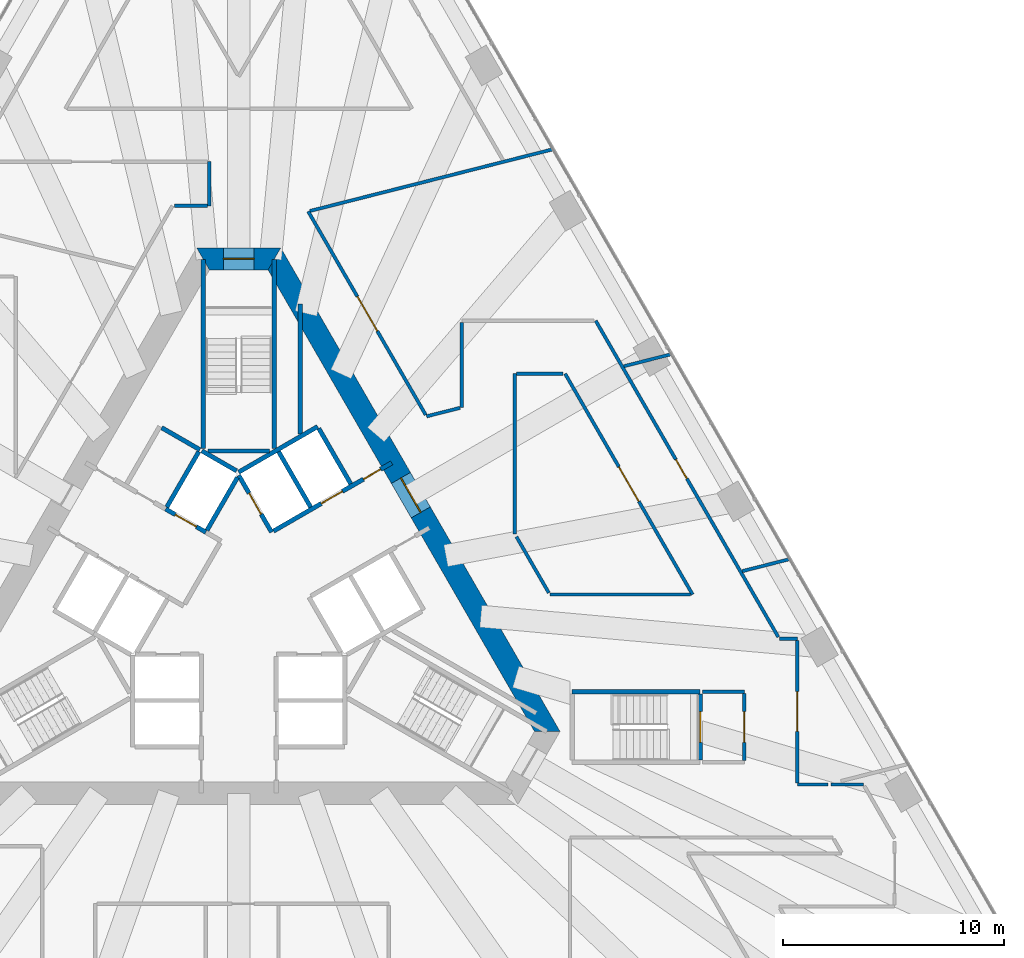
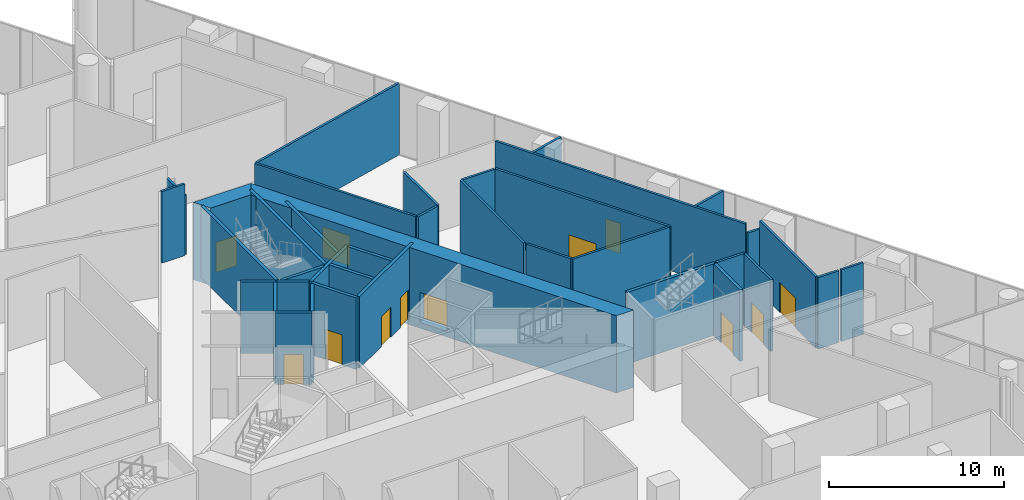
# One storey, part 25 of 32: 38 walls, 12 doors, 12 openings.
"""IFC4 building model written with IfcOpenShell, lengths in metres."""

from ifc_helpers import new_model, si_unit, direction, frame, frame_2d, origin, place, context, subcontext, project, spatial, polyline, rectangle, outline, extrude, material, layer, layer_set, type_object, element, fill, save


model = new_model("IFC4")

# Units and contexts
model_context = context("Model", 3, precision=1e-05, world=origin(), true_north=direction((0.0, 1.0)))
body_context = subcontext(model_context, "Body", "Model", "MODEL_VIEW")
ifc_project = project(units=[si_unit("LENGTHUNIT", "METRE"), si_unit("AREAUNIT", "SQUARE_METRE"), si_unit("VOLUMEUNIT", "CUBIC_METRE"), si_unit("PLANEANGLEUNIT", "RADIAN"), si_unit("MASSUNIT", "GRAM", prefix="KILO")], contexts=[model_context])

# Site, building, storey
site_placement = place(None, origin())
site = spatial("IfcSite", under=ifc_project, at=site_placement, CompositionType="ELEMENT")
building_placement = place(site_placement, origin())
building = spatial("IfcBuilding", under=site, at=building_placement, Name="Triada Interchange Tower", CompositionType="ELEMENT")
storey_placement = place(building_placement, frame((0.0, 0.0, 14.5)))
storey = spatial("IfcBuildingStorey", under=building, at=storey_placement, Name="L02", CompositionType="ELEMENT", Elevation=14.5)

# Wall
ifc_material_1 = material(Name="Concrete C30/37", Category="concrete")
ifc_layer_1 = layer(ifc_material_1, 0.199951171875)
ifc_layer_set_1 = layer_set([ifc_layer_1], Name="CORE WALL 200 EI 120")
wall_type_1 = type_object("IfcWallType", Name="CORE WALL 200 EI 120", PredefinedType="SOLIDWALL", material=ifc_layer_set_1)
wall_1_placement = place(storey_placement, frame((-0.001953125, 5.541015625, 0.0), z_axis=(0.0, 0.0, 1.0), x_axis=(0.86600155993, 0.500041296494, 0.0)))
element("IfcWall", 1, at=wall_1_placement, inside=storey, type_object=wall_type_1, Name="Wall L02 153", PredefinedType="SOLIDWALL", context=body_context, shape_type="SweptSolid", body=[
    extrude(rectangle(XDim=4.131591796875, YDim=0.199951171875, at=frame_2d((2.06591796875, 0.0))), origin(), (0.0, 0.0, 1.0), 5.0),
])

# Wall, opening, door
wall_2_placement = place(storey_placement, frame((0.0, 5.39990234375, 0.0), z_axis=(0.0, 0.0, 1.0), x_axis=(0.500103862429, -0.865965430478, 0.0)))
wall_2 = element("IfcWall", 2, at=wall_2_placement, inside=storey, type_object=wall_type_1, Name="Wall L02 154", PredefinedType="SOLIDWALL", context=body_context, shape_type="SweptSolid", body=[
    extrude(rectangle(XDim=2.973388671875, YDim=0.199951171875, at=frame_2d((1.48681640625, 0.0))), origin(), (0.0, 0.0, 1.0), 5.0),
])
opening_1_placement = place(wall_2_placement, frame((0.93701171875, 0.0, 0.0)))
opening_1 = element("IfcOpeningElement", 3, at=opening_1_placement, cuts=wall_2, Name="Opening LD-LR5", PredefinedType="OPENING", context=body_context, shape_type="SweptSolid", body=[
    extrude(rectangle(XDim=1.10009765625, YDim=2.10009765625, at=frame_2d((0.550048828125, 1.050048828125))), frame((0.0, 0.10986328125, 0.0), z_axis=(0.0, -1.0, 0.0), x_axis=(1.0, 0.0, 0.0)), (0.0, 0.0, 1.0), 0.219970703125),
])
ifc_material_2 = material(Name="Steel S235 door leaf", Category="steel")
door_type_1 = type_object("IfcDoorType", Name="LIFT LANDING DOOR 1100 EI 120", OperationType="SLIDING_TO_LEFT", PredefinedType="DOOR", material=ifc_material_2)
door_1_placement = place(opening_1_placement, origin())
door_1 = element("IfcDoor", 4, at=door_1_placement, inside=storey, type_object=door_type_1, Name="LR5 landing door L02", OperationType="SLIDING_TO_LEFT", OverallHeight=2.10009765625, OverallWidth=1.10009765625, PredefinedType="DOOR", context=body_context, shape_type="SweptSolid", body=[
    extrude(rectangle(XDim=1.10009765625, YDim=2.10009765625, at=frame_2d((0.550048828125, 1.050048828125))), frame((0.0, 0.02490234375, 0.0), z_axis=(0.0, -1.0, 0.0), x_axis=(1.0, 0.0, 0.0)), (0.0, 0.0, 1.0), 0.050048828125),
])
fill(opening_1, door_1)

# Wall, openings, doors
wall_3_placement = place(storey_placement, frame((1.577880859375, 2.8740234375, 0.0), z_axis=(0.0, 0.0, 1.0), x_axis=(0.866055259465, 0.499948284879, 0.0)))
wall_3 = element("IfcWall", 5, at=wall_3_placement, inside=storey, type_object=wall_type_1, Name="Wall L02 156", PredefinedType="SOLIDWALL", context=body_context, shape_type="SweptSolid", body=[
    extrude(rectangle(XDim=6.176513671875, YDim=0.199951171875, at=frame_2d((3.08837890625, 0.0))), origin(), (0.0, 0.0, 1.0), 5.0),
])
opening_2_placement = place(wall_3_placement, frame((2.49609375, 0.0, 0.0)))
opening_2 = element("IfcOpeningElement", 6, at=opening_2_placement, cuts=wall_3, Name="Opening LD-LR6", PredefinedType="OPENING", context=body_context, shape_type="SweptSolid", body=[
    extrude(rectangle(XDim=1.10009765625, YDim=2.10009765625, at=frame_2d((0.550048828125, 1.050048828125))), frame((0.0, 0.10986328125, 0.0), z_axis=(0.0, -1.0, 0.0), x_axis=(1.0, 0.0, 0.0)), (0.0, 0.0, 1.0), 0.219970703125),
])
opening_3_placement = place(wall_3_placement, frame((4.696044921875, 0.0, 0.0)))
opening_3 = element("IfcOpeningElement", 7, at=opening_3_placement, cuts=wall_3, Name="Opening D02-60", PredefinedType="OPENING", context=body_context, shape_type="SweptSolid", body=[
    extrude(rectangle(XDim=0.89990234375, YDim=2.10009765625, at=frame_2d((0.449951171875, 1.050048828125))), frame((0.0, 0.10986328125, 0.0), z_axis=(0.0, -1.0, 0.0), x_axis=(1.0, 0.0, 0.0)), (0.0, 0.0, 1.0), 0.219970703125),
])
door_2_placement = place(opening_2_placement, origin())
door_2 = element("IfcDoor", 8, at=door_2_placement, inside=storey, type_object=door_type_1, Name="LR6 landing door L02", OperationType="SLIDING_TO_LEFT", OverallHeight=2.10009765625, OverallWidth=1.10009765625, PredefinedType="DOOR", context=body_context, shape_type="SweptSolid", body=[
    extrude(rectangle(XDim=1.10009765625, YDim=2.10009765625, at=frame_2d((0.550048828125, 1.050048828125))), frame((0.0, 0.02490234375, 0.0), z_axis=(0.0, -1.0, 0.0), x_axis=(1.0, 0.0, 0.0)), (0.0, 0.0, 1.0), 0.050048828125),
])
fill(opening_2, door_2)
door_type_2 = type_object("IfcDoorType", Name="SERVICE DOOR 900 EI2 45-C5S200", OperationType="NOTDEFINED", PredefinedType="DOOR", material=ifc_material_2)
door_3_placement = place(opening_3_placement, origin())
door_3 = element("IfcDoor", 9, at=door_3_placement, inside=storey, type_object=door_type_2, Name="Door D02-60 L02", OperationType="SINGLE_SWING_LEFT", OverallHeight=2.10009765625, OverallWidth=0.89990234375, PredefinedType="DOOR", context=body_context, shape_type="SweptSolid", body=[
    extrude(rectangle(XDim=0.89990234375, YDim=2.10009765625, at=frame_2d((0.449951171875, 1.050048828125))), frame((0.0, 0.02490234375, 0.0), z_axis=(0.0, -1.0, 0.0), x_axis=(1.0, 0.0, 0.0)), (0.0, 0.0, 1.0), 0.050048828125),
])
fill(opening_3, door_3)

# Walls
for number, where, z_axis, x_axis, name in (
    (10, (3.6259765625, 7.52001953125, 0.0), (0.0, 0.0, 1.0), (0.500060147554, -0.865990674793, 0.0), "Wall L02 160"),
    (11, (1.806884765625, 6.469970703125, 0.0), (0.0, 0.0, 1.0), (0.50012328804, -0.865954211699, 0.0), "Wall L02 162"),
):
    element("IfcWall", number, at=place(storey_placement, frame(where, z_axis=z_axis, x_axis=x_axis)), inside=storey, type_object=wall_type_1, Name=name, PredefinedType="SOLIDWALL", context=body_context, shape_type="SweptSolid", body=[
        extrude(rectangle(XDim=2.899658203125, YDim=0.199951171875, at=frame_2d((1.44970703125, 0.0))), origin(), (0.0, 0.0, 1.0), 5.0),
    ])
ifc_layer_2 = layer(ifc_material_1, 0.199951171875)
ifc_layer_set_2 = layer_set([ifc_layer_2], Name="CORE WALL 200 EI 180")
wall_type_2 = type_object("IfcWallType", Name="CORE WALL 200 EI 180", PredefinedType="SOLIDWALL", material=ifc_layer_set_2)
wall_4_placement = place(storey_placement, frame((-3.489013671875, 7.556884765625, 0.0), z_axis=(0.0, 0.0, 1.0), x_axis=(0.866010750942, -0.50002537861, 0.0)))
element("IfcWall", 12, at=wall_4_placement, inside=storey, type_object=wall_type_2, Name="Wall L02 170", PredefinedType="SOLIDWALL", context=body_context, shape_type="SweptSolid", body=[
    extrude(rectangle(XDim=2.0, YDim=0.199951171875, at=frame_2d((1.0, 0.0))), origin(), (0.0, 0.0, 1.0), 5.0),
])

# Wall, opening, door
wall_5_placement = place(storey_placement, frame((-3.30908203125, 3.873046875, 0.0), z_axis=(0.0, 0.0, 1.0), x_axis=(0.866098583652, -0.499873227325, 0.0)))
wall_5 = element("IfcWall", 13, at=wall_5_placement, inside=storey, type_object=wall_type_2, Name="Shaft wall FF2 L02 176", PredefinedType="SOLIDWALL", context=body_context, shape_type="SweptSolid", body=[
    extrude(rectangle(XDim=2.1025390625, YDim=0.199951171875, at=frame_2d((1.05126953125, 0.0))), origin(), (0.0, 0.0, 1.0), 5.0),
])
opening_4_placement = place(wall_5_placement, frame((0.501953125, 0.0, 0.0)))
opening_4 = element("IfcOpeningElement", 14, at=opening_4_placement, cuts=wall_5, Name="Opening LD-FF2", PredefinedType="OPENING", context=body_context, shape_type="SweptSolid", body=[
    extrude(rectangle(XDim=1.10009765625, YDim=2.10009765625, at=frame_2d((0.550048828125, 1.050048828125))), frame((0.0, 0.10986328125, 0.0), z_axis=(0.0, -1.0, 0.0), x_axis=(1.0, 0.0, 0.0)), (0.0, 0.0, 1.0), 0.219970703125),
])
door_4_placement = place(opening_4_placement, origin())
door_4 = element("IfcDoor", 15, at=door_4_placement, inside=storey, type_object=door_type_1, Name="FF2 landing door L02", OperationType="SLIDING_TO_LEFT", OverallHeight=2.10009765625, OverallWidth=1.10009765625, PredefinedType="DOOR", context=body_context, shape_type="SweptSolid", body=[
    extrude(rectangle(XDim=1.10009765625, YDim=2.10009765625, at=frame_2d((0.550048828125, 1.050048828125))), frame((0.0, 0.02490234375, 0.0), z_axis=(0.0, -1.0, 0.0), x_axis=(1.0, 0.0, 0.0)), (0.0, 0.0, 1.0), 0.050048828125),
])
fill(opening_4, door_4)

# Walls
wall_6_placement = place(storey_placement, frame((-3.257080078125, 3.958984375, 0.0), z_axis=(0.0, 0.0, 1.0), x_axis=(0.50012328804, 0.865954211699, 0.0)))
element("IfcWall", 16, at=wall_6_placement, inside=storey, type_object=wall_type_2, Name="Shaft wall FF2 L02 177", PredefinedType="SOLIDWALL", context=body_context, shape_type="SweptSolid", body=[
    extrude(rectangle(XDim=2.899658203125, YDim=0.199951171875, at=frame_2d((1.44970703125, 0.0))), origin(), (0.0, 0.0, 1.0), 5.0),
])
wall_7_placement = place(storey_placement, frame((-1.669921875, 6.507080078125, 0.0), z_axis=(0.0, 0.0, 1.0), x_axis=(0.865941441609, -0.500145398563, 0.0)))
element("IfcWall", 17, at=wall_7_placement, inside=storey, type_object=wall_type_2, Name="Shaft wall FF2 L02 178", PredefinedType="SOLIDWALL", context=body_context, shape_type="SweptSolid", body=[
    extrude(rectangle(XDim=1.8154296875, YDim=0.199951171875, at=frame_2d((0.90771484375, 0.0))), origin(), (0.0, 0.0, 1.0), 5.0),
])
wall_8_placement = place(storey_placement, frame((-1.43798828125, 2.908935546875, 0.0), z_axis=(0.0, 0.0, 1.0), x_axis=(0.499829630636, 0.866123744241, 0.0)))
element("IfcWall", 18, at=wall_8_placement, inside=storey, type_object=wall_type_2, Name="Shaft wall FF2 L02 179", PredefinedType="SOLIDWALL", context=body_context, shape_type="SweptSolid", body=[
    extrude(rectangle(XDim=2.7607421875, YDim=0.199951171875, at=frame_2d((1.38037109375, 0.0))), origin(), (0.0, 0.0, 1.0), 5.0),
])
ifc_layer_3 = layer(ifc_material_1, 0.199951171875)
ifc_layer_set_3 = layer_set([ifc_layer_3], Name="CORE WALL 200 EI 90")
wall_type_3 = type_object("IfcWallType", Name="CORE WALL 200 EI 90", PredefinedType="SOLIDWALL", material=ifc_layer_set_3)
wall_9_placement = place(storey_placement, frame((2.778076171875, 7.261962890625, 0.0), z_axis=(0.0, 0.0, 1.0), x_axis=(0.0, 1.0, 0.0)))
element("IfcWall", 19, at=wall_9_placement, inside=storey, type_object=wall_type_3, Name="Wall L02 180", PredefinedType="SOLIDWALL", context=body_context, shape_type="SweptSolid", body=[
    extrude(rectangle(XDim=5.886962890625, YDim=0.199951171875, at=frame_2d((2.943359375, 0.0))), origin(), (0.0, 0.0, 1.0), 5.0),
])
ifc_layer_4 = layer(ifc_material_1, 0.199951171875)
ifc_layer_set_4 = layer_set([ifc_layer_4], Name="CORE WALL 200 REI 240")
wall_type_4 = type_object("IfcWallType", Name="CORE WALL 200 REI 240", PredefinedType="SOLIDWALL", material=ifc_layer_set_4)
wall_10_placement = place(storey_placement, frame((1.60009765625, 6.614990234375, 0.0), z_axis=(0.0, 0.0, 1.0), x_axis=(0.0, 1.0, 0.0)))
element("IfcWall", 20, at=wall_10_placement, inside=storey, type_object=wall_type_4, Name="Wall L02 185", PredefinedType="SOLIDWALL", context=body_context, shape_type="SweptSolid", body=[
    extrude(rectangle(XDim=8.56494140625, YDim=0.199951171875, at=frame_2d((4.282470703125, 0.0))), origin(), (0.0, 0.0, 1.0), 5.0),
])
wall_11_placement = place(storey_placement, frame((-1.39990234375, 6.5, 0.0), z_axis=(0.0, 0.0, 1.0), x_axis=(1.0, 0.0, 0.0)))
element("IfcWall", 21, at=wall_11_placement, inside=storey, type_object=wall_type_4, Name="Wall L02 186", PredefinedType="SOLIDWALL", context=body_context, shape_type="SweptSolid", body=[
    extrude(rectangle(XDim=2.7998046875, YDim=0.199951171875, at=frame_2d((1.39990234375, 0.0))), origin(), (0.0, 0.0, 1.0), 5.0),
])
wall_12_placement = place(storey_placement, frame((-1.60009765625, 6.614990234375, 0.0), z_axis=(0.0, 0.0, 1.0), x_axis=(0.0, 1.0, 0.0)))
element("IfcWall", 22, at=wall_12_placement, inside=storey, type_object=wall_type_4, Name="Wall L02 187", PredefinedType="SOLIDWALL", context=body_context, shape_type="SweptSolid", body=[
    extrude(rectangle(XDim=8.56494140625, YDim=0.199951171875, at=frame_2d((4.282470703125, 0.0))), origin(), (0.0, 0.0, 1.0), 5.0),
])
wall_13_placement = place(storey_placement, frame((15.10009765625, -4.39990234375, 0.0), z_axis=(0.0, 0.0, 1.0), x_axis=(1.0, 0.0, 0.0)))
element("IfcWall", 23, at=wall_13_placement, inside=storey, type_object=wall_type_4, Name="Wall L02 193", PredefinedType="SOLIDWALL", context=body_context, shape_type="SweptSolid", body=[
    extrude(rectangle(XDim=5.7998046875, YDim=0.199951171875, at=frame_2d((2.89990234375, 0.0))), origin(), (0.0, 0.0, 1.0), 5.0),
])

# Wall, opening, door
wall_14_placement = place(storey_placement, frame((20.89990234375, -7.5, 0.0), z_axis=(0.0, 0.0, 1.0), x_axis=(0.0, 1.0, 0.0)))
wall_14 = element("IfcWall", 24, at=wall_14_placement, inside=storey, type_object=wall_type_4, Name="Wall L02 214", PredefinedType="SOLIDWALL", context=body_context, shape_type="SweptSolid", body=[
    extrude(rectangle(XDim=3.0, YDim=0.199951171875, at=frame_2d((1.5, 0.0))), origin(), (0.0, 0.0, 1.0), 5.0),
])
opening_5_placement = place(wall_14_placement, frame((0.800048828125, 0.0, 0.0)))
opening_5 = element("IfcOpeningElement", 25, at=opening_5_placement, cuts=wall_14, Name="Opening D02-17", PredefinedType="OPENING", context=body_context, shape_type="SweptSolid", body=[
    extrude(rectangle(XDim=1.39990234375, YDim=2.10009765625, at=frame_2d((0.699951171875, 1.050048828125))), frame((0.0, 0.10986328125, 0.0), z_axis=(0.0, -1.0, 0.0), x_axis=(1.0, 0.0, 0.0)), (0.0, 0.0, 1.0), 0.219970703125),
])
door_type_3 = type_object("IfcDoorType", Name="STAIR DOOR 1400 EI2 90-C5S200", OperationType="DOUBLE_DOOR_SINGLE_SWING", PredefinedType="DOOR", material=ifc_material_2)
door_5_placement = place(opening_5_placement, origin())
door_5 = element("IfcDoor", 26, at=door_5_placement, inside=storey, type_object=door_type_3, Name="Door D02-17 L02", OperationType="DOUBLE_DOOR_SINGLE_SWING", OverallHeight=2.10009765625, OverallWidth=1.39990234375, PredefinedType="DOOR", context=body_context, shape_type="SweptSolid", body=[
    extrude(rectangle(XDim=1.39990234375, YDim=2.10009765625, at=frame_2d((0.699951171875, 1.050048828125))), frame((0.0, 0.02490234375, 0.0), z_axis=(0.0, -1.0, 0.0), x_axis=(1.0, 0.0, 0.0)), (0.0, 0.0, 1.0), 0.050048828125),
])
fill(opening_5, door_5)

ifc_material_3 = material(Name="Concrete C70/85", Category="concrete")
ifc_layer_5 = layer(ifc_material_3, 1.0)
ifc_layer_set_5 = layer_set([ifc_layer_5], Name="Core wall P 1000")
wall_type_5 = type_object("IfcWallType", Name="Core wall P 1000", PredefinedType="SHEAR", material=ifc_layer_set_5)
wall_15_placement = place(storey_placement, frame((1.616943359375, 15.199951171875, -0.39990234375), z_axis=(0.0, 0.0, 1.0), x_axis=(-1.0, 0.0, 0.0)))
wall_15 = element("IfcWall", 27, at=wall_15_placement, inside=storey, type_object=wall_type_5, Name="Core wall WP01 L02", PredefinedType="SHEAR", context=body_context, shape_type="SweptSolid", body=[
    extrude(outline(polyline([(-0.2880859375, -0.5), (1.616943359375, -0.5), (3.52197265625, -0.5), (2.945068359375, 0.5), (1.6171875, 0.5), (0.2890625, 0.5), (-0.2880859375, -0.5)])), origin(), (0.0, 0.0, 1.0), 5.39990234375),
])
opening_6_placement = place(wall_15_placement, frame((0.9169921875, 0.0, 0.39990234375)))
opening_6 = element("IfcOpeningElement", 28, at=opening_6_placement, cuts=wall_15, Name="Opening D02-53", PredefinedType="OPENING", context=body_context, shape_type="SweptSolid", body=[
    extrude(rectangle(XDim=1.39990234375, YDim=2.10009765625, at=frame_2d((0.699951171875, 1.050048828125))), frame((0.0, 0.510009765625, 0.0), z_axis=(0.0, -1.0, 0.0), x_axis=(1.0, 0.0, 0.0)), (0.0, 0.0, 1.0), 1.02001953125),
])
door_6_placement = place(opening_6_placement, origin())
door_6 = element("IfcDoor", 29, at=door_6_placement, inside=storey, type_object=door_type_3, Name="Door D02-53 L02", OperationType="DOUBLE_DOOR_SINGLE_SWING", OverallHeight=2.10009765625, OverallWidth=1.39990234375, PredefinedType="DOOR", context=body_context, shape_type="SweptSolid", body=[
    extrude(rectangle(XDim=1.39990234375, YDim=2.10009765625, at=frame_2d((0.699951171875, 1.050048828125))), frame((0.0, 0.02490234375, 0.0), z_axis=(0.0, -1.0, 0.0), x_axis=(1.0, 0.0, 0.0)), (0.0, 0.0, 1.0), 0.050048828125),
])
fill(opening_6, door_6)

wall_16_placement = place(storey_placement, frame((13.971923828125, -6.199951171875, -0.39990234375), z_axis=(0.0, 0.0, 1.0), x_axis=(-0.499992141631, 0.866029940768, 0.0)))
wall_16 = element("IfcWall", 30, at=wall_16_placement, inside=storey, type_object=wall_type_5, Name="Core wall WP06 L02", PredefinedType="SHEAR", context=body_context, shape_type="SweptSolid", body=[
    extrude(outline(polyline([(-0.2880859375, -0.5), (1.656982421875, -0.5), (3.602294921875, -0.499755859375), (5.54736328125, -0.499755859375), (7.49267578125, -0.499755859375), (9.437744140625, -0.49951171875), (11.3828125, -0.49951171875), (13.328125, -0.49951171875), (15.273193359375, -0.49951171875), (17.21826171875, -0.499267578125), (19.16357421875, -0.499267578125), (21.108642578125, -0.499267578125), (23.053955078125, -0.4990234375), (24.9990234375, -0.4990234375), (24.422119140625, 0.5), (22.565673828125, 0.5), (20.709228515625, 0.5), (18.852783203125, 0.5), (16.996337890625, 0.5), (15.139892578125, 0.5), (13.283447265625, 0.5), (11.4267578125, 0.5), (9.5703125, 0.5), (7.7138671875, 0.5), (5.857421875, 0.5), (4.0009765625, 0.5), (2.14453125, 0.5), (0.2880859375, 0.5), (-0.2880859375, -0.5)])), origin(), (0.0, 0.0, 1.0), 5.39990234375),
])
opening_7_placement = place(wall_16_placement, frame((11.455078125, 0.0, 0.39990234375)))
opening_7 = element("IfcOpeningElement", 31, at=opening_7_placement, cuts=wall_16, Name="Opening D02-52", PredefinedType="OPENING", context=body_context, shape_type="SweptSolid", body=[
    extrude(rectangle(XDim=1.800048828125, YDim=2.10009765625, at=frame_2d((0.89990234375, 1.050048828125))), frame((0.0, 0.510009765625, 0.0), z_axis=(0.0, -1.0, 0.0), x_axis=(1.0, 0.0, 0.0)), (0.0, 0.0, 1.0), 1.02001953125),
])
door_type_4 = type_object("IfcDoorType", Name="LOBBY DOOR 1800 EI2 90-C5S200", OperationType="DOUBLE_DOOR_SINGLE_SWING", PredefinedType="DOOR", material=ifc_material_2)
door_7_placement = place(opening_7_placement, origin())
door_7 = element("IfcDoor", 32, at=door_7_placement, inside=storey, type_object=door_type_4, Name="Door D02-52 L02", OperationType="DOUBLE_DOOR_SINGLE_SWING", OverallHeight=2.10009765625, OverallWidth=1.800048828125, PredefinedType="DOOR", context=body_context, shape_type="SweptSolid", body=[
    extrude(rectangle(XDim=1.800048828125, YDim=2.10009765625, at=frame_2d((0.89990234375, 1.050048828125))), frame((0.0, 0.02490234375, 0.0), z_axis=(0.0, -1.0, 0.0), x_axis=(1.0, 0.0, 0.0)), (0.0, 0.0, 1.0), 0.050048828125),
])
fill(opening_7, door_7)

# Walls
ifc_material_4 = material(Name="Gypsum board partition")
ifc_layer_6 = layer(ifc_material_4, 0.14990234375)
ifc_layer_set_6 = layer_set([ifc_layer_6], Name="PARTITION 150")
wall_type_6 = type_object("IfcWallType", Name="PARTITION 150", PredefinedType="PARTITIONING", material=ifc_layer_set_6)
wall_17_placement = place(storey_placement, frame((17.443115234375, 10.337890625, 0.0), z_axis=(0.0, 0.0, 1.0), x_axis=(0.969125534663, 0.246567836636, 0.0)))
element("IfcWall", 33, at=wall_17_placement, inside=storey, type_object=wall_type_6, Name="Wall L02 91", PredefinedType="PARTITIONING", context=body_context, shape_type="SweptSolid", body=[
    extrude(rectangle(XDim=2.20703125, YDim=0.14990234375, at=frame_2d((1.103515625, 0.0))), origin(), (0.0, 0.0, 1.0), 5.0),
])
wall_18_placement = place(storey_placement, frame((22.801025390625, 1.056884765625, 0.0), z_axis=(0.0, 0.0, 1.0), x_axis=(0.969152417799, 0.246462149375, 0.0)))
element("IfcWall", 34, at=wall_18_placement, inside=storey, type_object=wall_type_6, Name="Wall L02 96", PredefinedType="PARTITIONING", context=body_context, shape_type="SweptSolid", body=[
    extrude(rectangle(XDim=2.2080078125, YDim=0.14990234375, at=frame_2d((1.10400390625, 0.0))), origin(), (0.0, 0.0, 1.0), 5.0),
])
ifc_layer_7 = layer(ifc_material_4, 0.14990234375)
ifc_layer_set_7 = layer_set([ifc_layer_7], Name="PARTITION 150 EI 180")
wall_type_7 = type_object("IfcWallType", Name="PARTITION 150 EI 180", PredefinedType="PARTITIONING", material=ifc_layer_set_7)
wall_19_placement = place(storey_placement, frame((21.0, -4.39990234375, 0.0), z_axis=(0.0, 0.0, 1.0), x_axis=(1.0, 0.0, 0.0)))
element("IfcWall", 35, at=wall_19_placement, inside=storey, type_object=wall_type_7, Name="Wall L02 5", PredefinedType="PARTITIONING", context=body_context, shape_type="SweptSolid", body=[
    extrude(rectangle(XDim=1.89990234375, YDim=0.14990234375, at=frame_2d((0.949951171875, 0.0))), origin(), (0.0, 0.0, 1.0), 5.0),
])

# Wall, opening, door
wall_20_placement = place(storey_placement, frame((22.89990234375, -7.52490234375, 0.0), z_axis=(0.0, 0.0, 1.0), x_axis=(0.0, 1.0, 0.0)))
wall_20 = element("IfcWall", 36, at=wall_20_placement, inside=storey, type_object=wall_type_7, Name="Wall L02 18", PredefinedType="PARTITIONING", context=body_context, shape_type="SweptSolid", body=[
    extrude(rectangle(XDim=3.0498046875, YDim=0.14990234375, at=frame_2d((1.52490234375, 0.0))), origin(), (0.0, 0.0, 1.0), 5.0),
])
opening_8_placement = place(wall_20_placement, frame((0.824951171875, 0.0, 0.0)))
opening_8 = element("IfcOpeningElement", 37, at=opening_8_placement, cuts=wall_20, Name="Opening D02-18", PredefinedType="OPENING", context=body_context, shape_type="SweptSolid", body=[
    extrude(rectangle(XDim=1.39990234375, YDim=2.10009765625, at=frame_2d((0.699951171875, 1.050048828125))), frame((0.0, 0.0849609375, 0.0), z_axis=(0.0, -1.0, 0.0), x_axis=(1.0, 0.0, 0.0)), (0.0, 0.0, 1.0), 0.169921875),
])
door_8_placement = place(opening_8_placement, origin())
door_8 = element("IfcDoor", 38, at=door_8_placement, inside=storey, type_object=door_type_3, Name="Door D02-18 L02", OperationType="DOUBLE_DOOR_SINGLE_SWING", OverallHeight=2.10009765625, OverallWidth=1.39990234375, PredefinedType="DOOR", context=body_context, shape_type="SweptSolid", body=[
    extrude(rectangle(XDim=1.39990234375, YDim=2.10009765625, at=frame_2d((0.699951171875, 1.050048828125))), frame((0.0, 0.02490234375, 0.0), z_axis=(0.0, -1.0, 0.0), x_axis=(1.0, 0.0, 0.0)), (0.0, 0.0, 1.0), 0.050048828125),
])
fill(opening_8, door_8)

# Walls
ifc_layer_8 = layer(ifc_material_4, 0.14990234375)
ifc_layer_set_8 = layer_set([ifc_layer_8], Name="PARTITION 150 EI 90")
wall_type_8 = type_object("IfcWallType", Name="PARTITION 150 EI 90", PredefinedType="PARTITIONING", material=ifc_layer_set_8)
wall_21_placement = place(storey_placement, frame((25.300048828125, -8.60009765625, 0.0), z_axis=(0.0, 0.0, 1.0), x_axis=(1.0, 0.0, 0.0)))
element("IfcWall", 39, at=wall_21_placement, inside=storey, type_object=wall_type_8, Name="Wall L02 33", PredefinedType="PARTITIONING", context=body_context, shape_type="SweptSolid", body=[
    extrude(rectangle(XDim=1.376953125, YDim=0.14990234375, at=frame_2d((0.6884765625, 0.0))), origin(), (0.0, 0.0, 1.0), 5.0),
])
wall_22_placement = place(storey_placement, frame((26.83203125, -8.60009765625, 0.0), z_axis=(0.0, 0.0, 1.0), x_axis=(1.0, 0.0, 0.0)))
element("IfcWall", 40, at=wall_22_placement, inside=storey, type_object=wall_type_8, Name="Wall L02 34", PredefinedType="PARTITIONING", context=body_context, shape_type="SweptSolid", body=[
    extrude(rectangle(XDim=1.4580078125, YDim=0.14990234375, at=frame_2d((0.72900390625, 0.0))), origin(), (0.0, 0.0, 1.0), 5.0),
])
wall_23_placement = place(storey_placement, frame((24.47998046875, -2.0, 0.0), z_axis=(0.0, 0.0, 1.0), x_axis=(1.0, 0.0, 0.0)))
element("IfcWall", 41, at=wall_23_placement, inside=storey, type_object=wall_type_8, Name="Wall L02 44", PredefinedType="PARTITIONING", context=body_context, shape_type="SweptSolid", body=[
    extrude(rectangle(XDim=0.820068359375, YDim=0.14990234375, at=frame_2d((0.41015625, 0.0))), origin(), (0.0, 0.0, 1.0), 4.39990234375),
])
wall_24_placement = place(storey_placement, frame((-1.330078125, 17.60009765625, 0.0), z_axis=(0.0, 0.0, 1.0), x_axis=(0.0, 1.0, 0.0)))
element("IfcWall", 42, at=wall_24_placement, inside=storey, type_object=wall_type_8, Name="Wall L02 58", PredefinedType="PARTITIONING", context=body_context, shape_type="SweptSolid", body=[
    extrude(rectangle(XDim=2.0, YDim=0.14990234375, at=frame_2d((1.0, 0.0))), origin(), (0.0, 0.0, 1.0), 4.14990234375),
])
wall_25_placement = place(storey_placement, frame((-2.916015625, 17.60009765625, 0.0), z_axis=(0.0, 0.0, 1.0), x_axis=(1.0, 0.0, 0.0)))
element("IfcWall", 43, at=wall_25_placement, inside=storey, type_object=wall_type_8, Name="Wall L02 63", PredefinedType="PARTITIONING", context=body_context, shape_type="SweptSolid", body=[
    extrude(rectangle(XDim=1.510986328125, YDim=0.14990234375, at=frame_2d((0.75537109375, 0.0))), origin(), (0.0, 0.0, 1.0), 5.0),
])

# Wall, opening, door
wall_26_placement = place(storey_placement, frame((16.166015625, 12.39990234375, 0.0), z_axis=(0.0, 0.0, 1.0), x_axis=(0.499977560568, -0.866038358809, 0.0)))
wall_26 = element("IfcWall", 44, at=wall_26_placement, inside=storey, type_object=wall_type_8, Name="Wall L02 79", PredefinedType="PARTITIONING", context=body_context, shape_type="SweptSolid", body=[
    extrude(rectangle(XDim=16.540771484375, YDim=0.14990234375, at=frame_2d((8.2705078125, 0.0))), origin(), (0.0, 0.0, 1.0), 5.0),
])
opening_9_placement = place(wall_26_placement, frame((7.260986328125, 0.0, 0.0)))
opening_9 = element("IfcOpeningElement", 45, at=opening_9_placement, cuts=wall_26, Name="Opening D02-48", PredefinedType="OPENING", context=body_context, shape_type="SweptSolid", body=[
    extrude(rectangle(XDim=1.0, YDim=2.10009765625, at=frame_2d((0.5, 1.050048828125))), frame((0.0, 0.0849609375, 0.0), z_axis=(0.0, -1.0, 0.0), x_axis=(1.0, 0.0, 0.0)), (0.0, 0.0, 1.0), 0.169921875),
])
door_type_5 = type_object("IfcDoorType", Name="ROOM DOOR 1000 EI2 45-C5S200", OperationType="NOTDEFINED", PredefinedType="DOOR", material=ifc_material_2)
door_9_placement = place(opening_9_placement, origin())
door_9 = element("IfcDoor", 46, at=door_9_placement, inside=storey, type_object=door_type_5, Name="Door D02-48 L02", OperationType="SINGLE_SWING_RIGHT", OverallHeight=2.10009765625, OverallWidth=1.0, PredefinedType="DOOR", context=body_context, shape_type="SweptSolid", body=[
    extrude(rectangle(XDim=1.0, YDim=2.10009765625, at=frame_2d((0.5, 1.050048828125))), frame((0.0, 0.02490234375, 0.0), z_axis=(0.0, -1.0, 0.0), x_axis=(1.0, 0.0, 0.0)), (0.0, 0.0, 1.0), 0.050048828125),
])
fill(opening_9, door_9)

# Walls
wall_27_placement = place(storey_placement, frame((10.10009765625, 8.472900390625, 0.0), z_axis=(0.0, 0.0, 1.0), x_axis=(0.0, 1.0, 0.0)))
element("IfcWall", 47, at=wall_27_placement, inside=storey, type_object=wall_type_8, Name="Wall L02 89", PredefinedType="PARTITIONING", context=body_context, shape_type="SweptSolid", body=[
    extrude(rectangle(XDim=3.85205078125, YDim=0.14990234375, at=frame_2d((1.926025390625, 0.0))), origin(), (0.0, 0.0, 1.0), 5.0),
])
wall_28_placement = place(storey_placement, frame((8.5048828125, 8.068115234375, 0.0), z_axis=(0.0, 0.0, 1.0), x_axis=(0.969238432808, 0.246123668851, 0.0)))
element("IfcWall", 48, at=wall_28_placement, inside=storey, type_object=wall_type_8, Name="Wall L02 90", PredefinedType="PARTITIONING", context=body_context, shape_type="SweptSolid", body=[
    extrude(rectangle(XDim=1.568359375, YDim=0.14990234375, at=frame_2d((0.7841796875, 0.0))), origin(), (0.0, 0.0, 1.0), 5.0),
])

# Wall, opening, door
wall_29_placement = place(storey_placement, frame((3.14697265625, 17.34912109375, 0.0), z_axis=(0.0, 0.0, 1.0), x_axis=(0.500060803479, -0.865990296034, 0.0)))
wall_29 = element("IfcWall", 49, at=wall_29_placement, inside=storey, type_object=wall_type_8, Name="Wall L02 92", PredefinedType="PARTITIONING", context=body_context, shape_type="SweptSolid", body=[
    extrude(rectangle(XDim=10.638916015625, YDim=0.14990234375, at=frame_2d((5.3193359375, 0.0))), origin(), (0.0, 0.0, 1.0), 5.0),
])
opening_10_placement = place(wall_29_placement, frame((4.4580078125, 0.0, 0.0)))
opening_10 = element("IfcOpeningElement", 50, at=opening_10_placement, cuts=wall_29, Name="Opening D02-49", PredefinedType="OPENING", context=body_context, shape_type="SweptSolid", body=[
    extrude(rectangle(XDim=1.800048828125, YDim=2.10009765625, at=frame_2d((0.89990234375, 1.050048828125))), frame((0.0, 0.0849609375, 0.0), z_axis=(0.0, -1.0, 0.0), x_axis=(1.0, 0.0, 0.0)), (0.0, 0.0, 1.0), 0.169921875),
])
door_type_6 = type_object("IfcDoorType", Name="SHOP AND HALL ENTRANCE DOOR 1800 EI2 90-C5S200", OperationType="DOUBLE_DOOR_SINGLE_SWING", PredefinedType="DOOR", material=ifc_material_2)
door_10_placement = place(opening_10_placement, origin())
door_10 = element("IfcDoor", 51, at=door_10_placement, inside=storey, type_object=door_type_6, Name="Door D02-49 L02", OperationType="DOUBLE_DOOR_SINGLE_SWING", OverallHeight=2.10009765625, OverallWidth=1.800048828125, PredefinedType="DOOR", context=body_context, shape_type="SweptSolid", body=[
    extrude(rectangle(XDim=1.800048828125, YDim=2.10009765625, at=frame_2d((0.89990234375, 1.050048828125))), frame((0.0, 0.02490234375, 0.0), z_axis=(0.0, -1.0, 0.0), x_axis=(1.0, 0.0, 0.0)), (0.0, 0.0, 1.0), 0.050048828125),
])
fill(opening_10, door_10)

# Wall
wall_30_placement = place(storey_placement, frame((3.222900390625, 17.367919921875, 0.0), z_axis=(0.0, 0.0, 1.0), x_axis=(0.969205432145, 0.246253589415, 0.0)))
element("IfcWall", 52, at=wall_30_placement, inside=storey, type_object=wall_type_8, Name="Wall L02 93", PredefinedType="PARTITIONING", context=body_context, shape_type="SweptSolid", body=[
    extrude(rectangle(XDim=11.350830078125, YDim=0.14990234375, at=frame_2d((5.67529296875, 0.0))), origin(), (0.0, 0.0, 1.0), 5.0),
])

# Wall, opening, door
wall_31_placement = place(storey_placement, frame((25.300048828125, -8.52490234375, 0.0), z_axis=(0.0, 0.0, 1.0), x_axis=(0.0, 1.0, 0.0)))
wall_31 = element("IfcWall", 53, at=wall_31_placement, inside=storey, type_object=wall_type_8, Name="Wall L02 98", PredefinedType="PARTITIONING", context=body_context, shape_type="SweptSolid", body=[
    extrude(rectangle(XDim=6.449951171875, YDim=0.14990234375, at=frame_2d((3.22509765625, 0.0))), origin(), (0.0, 0.0, 1.0), 5.0),
])
opening_11_placement = place(wall_31_placement, frame((2.324951171875, 0.0, 0.0)))
opening_11 = element("IfcOpeningElement", 54, at=opening_11_placement, cuts=wall_31, Name="Opening D02-47", PredefinedType="OPENING", context=body_context, shape_type="SweptSolid", body=[
    extrude(rectangle(XDim=1.800048828125, YDim=2.10009765625, at=frame_2d((0.89990234375, 1.050048828125))), frame((0.0, 0.0849609375, 0.0), z_axis=(0.0, -1.0, 0.0), x_axis=(1.0, 0.0, 0.0)), (0.0, 0.0, 1.0), 0.169921875),
])
door_11_placement = place(opening_11_placement, origin())
door_11 = element("IfcDoor", 55, at=door_11_placement, inside=storey, type_object=door_type_6, Name="Door D02-47 L02", OperationType="DOUBLE_DOOR_SINGLE_SWING", OverallHeight=2.10009765625, OverallWidth=1.800048828125, PredefinedType="DOOR", context=body_context, shape_type="SweptSolid", body=[
    extrude(rectangle(XDim=1.800048828125, YDim=2.10009765625, at=frame_2d((0.89990234375, 1.050048828125))), frame((0.0, 0.02490234375, 0.0), z_axis=(0.0, -1.0, 0.0), x_axis=(1.0, 0.0, 0.0)), (0.0, 0.0, 1.0), 0.050048828125),
])
fill(opening_11, door_11)

wall_32_placement = place(storey_placement, frame((14.780029296875, 10.0, 0.0), z_axis=(0.0, 0.0, 1.0), x_axis=(0.500027479704, -0.866009537788, 0.0)))
wall_32 = element("IfcWall", 56, at=wall_32_placement, inside=storey, type_object=wall_type_8, Name="Wall L02 135", PredefinedType="PARTITIONING", context=body_context, shape_type="SweptSolid", body=[
    extrude(rectangle(XDim=11.547119140625, YDim=0.14990234375, at=frame_2d((5.7734375, 0.0))), origin(), (0.0, 0.0, 1.0), 5.0),
])
opening_12_placement = place(wall_32_placement, frame((4.8740234375, 0.0, 0.0)))
opening_12 = element("IfcOpeningElement", 57, at=opening_12_placement, cuts=wall_32, Name="Opening D02-33", PredefinedType="OPENING", context=body_context, shape_type="SweptSolid", body=[
    extrude(rectangle(XDim=1.800048828125, YDim=2.10009765625, at=frame_2d((0.89990234375, 1.050048828125))), frame((0.0, 0.0849609375, 0.0), z_axis=(0.0, -1.0, 0.0), x_axis=(1.0, 0.0, 0.0)), (0.0, 0.0, 1.0), 0.169921875),
])
door_12_placement = place(opening_12_placement, origin())
door_12 = element("IfcDoor", 58, at=door_12_placement, inside=storey, type_object=door_type_6, Name="Door D02-33 L02", OperationType="DOUBLE_DOOR_SINGLE_SWING", OverallHeight=2.10009765625, OverallWidth=1.800048828125, PredefinedType="DOOR", context=body_context, shape_type="SweptSolid", body=[
    extrude(rectangle(XDim=1.800048828125, YDim=2.10009765625, at=frame_2d((0.89990234375, 1.050048828125))), frame((0.0, 0.02490234375, 0.0), z_axis=(0.0, -1.0, 0.0), x_axis=(1.0, 0.0, 0.0)), (0.0, 0.0, 1.0), 0.050048828125),
])
fill(opening_12, door_12)

# Walls
wall_33_placement = place(storey_placement, frame((12.5, 2.7490234375, 0.0), z_axis=(0.0, 0.0, 1.0), x_axis=(0.0, 1.0, 0.0)))
element("IfcWall", 59, at=wall_33_placement, inside=storey, type_object=wall_type_8, Name="Wall L02 138", PredefinedType="PARTITIONING", context=body_context, shape_type="SweptSolid", body=[
    extrude(rectangle(XDim=7.2509765625, YDim=0.14990234375, at=frame_2d((3.62548828125, 0.0))), origin(), (0.0, 0.0, 1.0), 5.0),
])
wall_34_placement = place(storey_placement, frame((12.574951171875, 10.0, 0.0), z_axis=(0.0, 0.0, 1.0), x_axis=(1.0, 0.0, 0.0)))
element("IfcWall", 60, at=wall_34_placement, inside=storey, type_object=wall_type_8, Name="Wall L02 139", PredefinedType="PARTITIONING", context=body_context, shape_type="SweptSolid", body=[
    extrude(rectangle(XDim=2.1181640625, YDim=0.14990234375, at=frame_2d((1.05908203125, 0.0))), origin(), (0.0, 0.0, 1.0), 5.0),
])
wall_35_placement = place(storey_placement, frame((14.0869140625, 0.0, 0.0), z_axis=(0.0, 0.0, 1.0), x_axis=(1.0, 0.0, 0.0)))
element("IfcWall", 61, at=wall_35_placement, inside=storey, type_object=wall_type_8, Name="Wall L02 140", PredefinedType="PARTITIONING", context=body_context, shape_type="SweptSolid", body=[
    extrude(rectangle(XDim=6.380126953125, YDim=0.14990234375, at=frame_2d((3.18994140625, 0.0))), origin(), (0.0, 0.0, 1.0), 5.0),
])
wall_36_placement = place(storey_placement, frame((12.574951171875, 2.618896484375, 0.0), z_axis=(0.0, 0.0, 1.0), x_axis=(0.500062965414, -0.865989047634, 0.0)))
element("IfcWall", 62, at=wall_36_placement, inside=storey, type_object=wall_type_8, Name="Wall L02 141", PredefinedType="PARTITIONING", context=body_context, shape_type="SweptSolid", body=[
    extrude(rectangle(XDim=2.9375, YDim=0.14990234375, at=frame_2d((1.46875, 0.0))), origin(), (0.0, 0.0, 1.0), 5.0),
])

save(model, "model.ifc")
